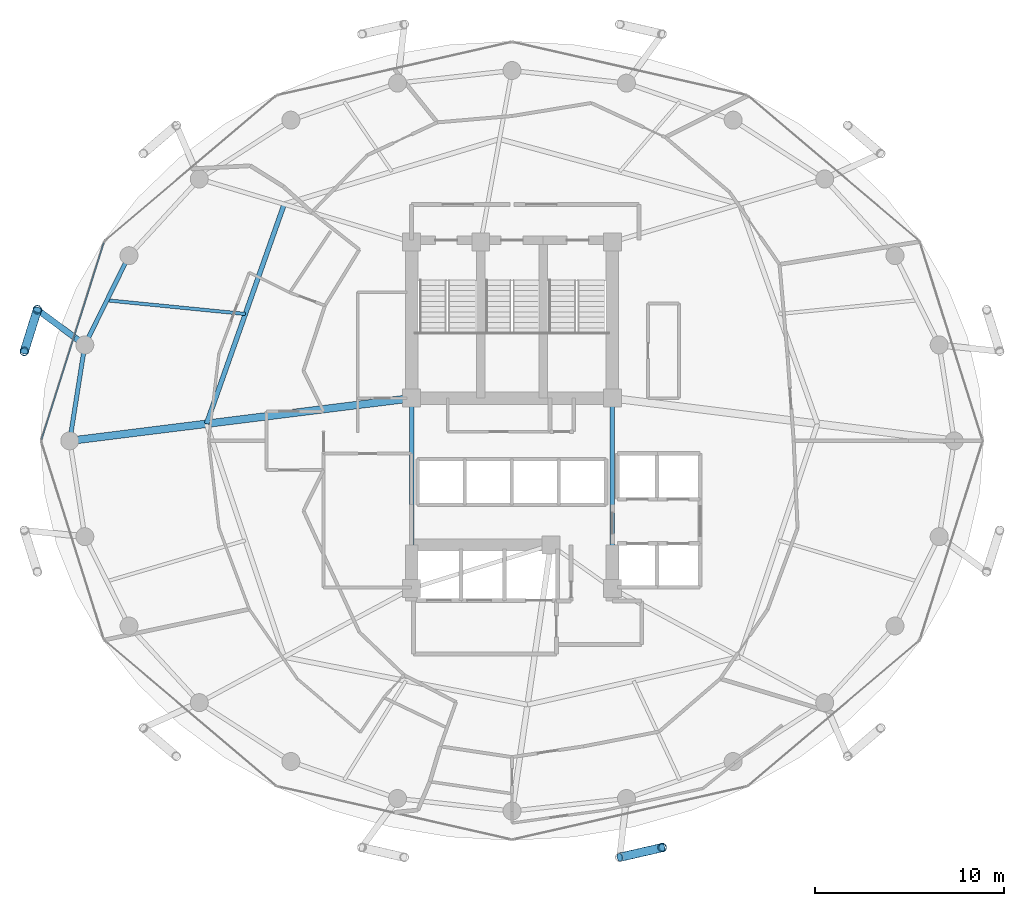
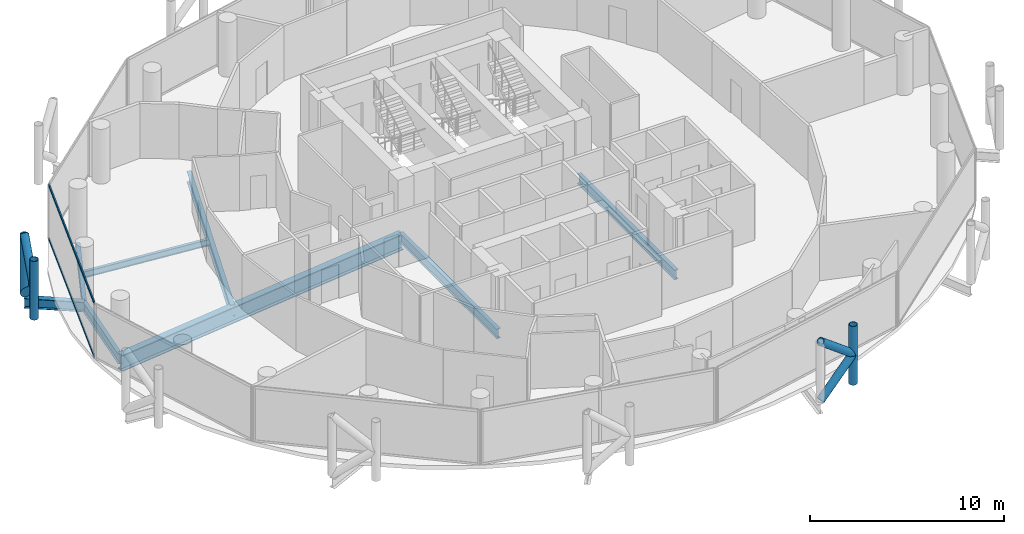
# One storey, part 7 of 26: 9 members, 8 beams, 1 element without a shape of its own.
"""IFC4 building model written with IfcOpenShell, lengths in metres."""

from ifc_helpers import new_model, si_unit, direction, frame, origin, origin_2d, place, context, subcontext, project, spatial, hollow_rectangle, hollow_circle, i_section, extrude, material, layer, layer_set, material_profile, profile_set, type_object, element, aggregate, save


model = new_model("IFC4")

# Units and contexts
model_context = context("Model", 3, precision=1e-05, world=origin(), true_north=direction((0.0, 1.0)))
body_context = subcontext(model_context, "Body", "Model", "MODEL_VIEW")
ifc_project = project(units=[si_unit("LENGTHUNIT", "METRE"), si_unit("AREAUNIT", "SQUARE_METRE"), si_unit("VOLUMEUNIT", "CUBIC_METRE"), si_unit("PLANEANGLEUNIT", "RADIAN"), si_unit("MASSUNIT", "GRAM", prefix="KILO")], contexts=[model_context])

# Site, building, storey
site_placement = place(None, origin())
site = spatial("IfcSite", under=ifc_project, at=site_placement, CompositionType="ELEMENT")
building_placement = place(site_placement, origin())
building = spatial("IfcBuilding", under=site, at=building_placement, Name="Nuhasar Tower", CompositionType="ELEMENT")
storey_placement = place(building_placement, frame((0.0, 0.0, 184.85009765625)))
storey = spatial("IfcBuildingStorey", under=building, at=storey_placement, Name="L45", CompositionType="ELEMENT", Elevation=184.85009765625)

# Beams
ifc_material_1 = material(Name="Steel S355", Category="steel")
ifc_material_profile_1 = material_profile(ifc_material_1, i_section(OverallWidth=0.25390625, OverallDepth=0.68408203125, WebThickness=0.012451171875, FlangeThickness=0.018798828125, at=origin_2d()), Name="W27X94")
ifc_profile_set_1 = profile_set([ifc_material_profile_1], Name="Steel S355")
beam_type_1 = type_object("IfcBeamType", Name="BM-INRING-W27X94", PredefinedType="BEAM", material=ifc_profile_set_1)
beam_1_placement = place(storey_placement, frame((26.972900390625, 39.2939453125, -0.592041015625), z_axis=(-0.333599821096, -0.942714781556, 0.0), x_axis=(0.942714781556, -0.333599821096, 0.0)))
element("IfcBeam", 1, at=beam_1_placement, inside=storey, type_object=beam_type_1, Name="L45 Inner Header Beam 07", PredefinedType="BEAM", context=body_context, shape_type="SweptSolid", body=[
    extrude(i_section(OverallWidth=0.25390625, OverallDepth=0.68408203125, WebThickness=0.012451171875, FlangeThickness=0.018798828125, at=origin_2d()), origin(), (0.0, 0.0, 1.0), 12.298583984375),
])
ifc_material_profile_2 = material_profile(ifc_material_1, i_section(OverallWidth=0.177978515625, OverallDepth=0.406005859375, WebThickness=0.0078125, FlangeThickness=0.0126953125, at=origin_2d()), Name="W16X40")
ifc_profile_set_2 = profile_set([ifc_material_profile_2], Name="Steel S355")
beam_type_2 = type_object("IfcBeamType", Name="BM-JST-W16X40", PredefinedType="JOIST", material=ifc_profile_set_2)
beam_2_placement = place(storey_placement, frame((24.922119140625, 33.4970703125, -0.453125), z_axis=(-0.995171845755, 0.098147834497, 0.0), x_axis=(-0.098147834497, -0.995171845755, 0.0)))
element("IfcBeam", 2, at=beam_2_placement, inside=storey, type_object=beam_type_2, Name="L45 Secondary Floor Joist 07", PredefinedType="JOIST", context=body_context, shape_type="SweptSolid", body=[
    extrude(i_section(OverallWidth=0.177978515625, OverallDepth=0.406005859375, WebThickness=0.0078125, FlangeThickness=0.0126953125, at=origin_2d()), origin(), (0.0, 0.0, 1.0), 7.345458984375),
])
ifc_material_profile_3 = material_profile(ifc_material_1, i_section(OverallWidth=0.22900390625, OverallDepth=0.612060546875, WebThickness=0.011962890625, FlangeThickness=0.01953125, at=origin_2d()), Name="W24X84")
ifc_profile_set_3 = profile_set([ifc_material_profile_3], Name="Steel S355")
beam_type_3 = type_object("IfcBeamType", Name="BM-RAD-W24X84", PredefinedType="BEAM", material=ifc_profile_set_3)
for number, where, z_axis, x_axis, name in (
    (3, (44.300048828125, 19.0, -0.55615234375), (0.0, 1.0, 0.0), (-1.0, 0.0, 0.0), "L45 Core Ring Girder 3"),
    (4, (33.699951171875, 29.050048828125, -0.55615234375), (0.0, -1.0, 0.0), (1.0, 0.0, 0.0), "L45 Core Ring Girder 8"),
):
    element("IfcBeam", number, at=place(storey_placement, frame(where, z_axis=z_axis, x_axis=x_axis)), inside=storey, type_object=beam_type_3, Name=name, PredefinedType="BEAM", context=body_context, shape_type="SweptSolid", body=[
        extrude(i_section(OverallWidth=0.22900390625, OverallDepth=0.612060546875, WebThickness=0.011962890625, FlangeThickness=0.01953125, at=origin_2d()), origin(), (0.0, 0.0, 1.0), 10.050048828125),
    ])
ifc_material_profile_4 = material_profile(ifc_material_1, i_section(OverallWidth=0.22998046875, OverallDepth=0.616943359375, WebThickness=0.01318359375, FlangeThickness=0.022216796875, at=origin_2d()), Name="W24X94")
ifc_profile_set_4 = profile_set([ifc_material_profile_4], Name="Steel S355")
beam_type_4 = type_object("IfcBeamType", Name="BM-RING-W24X94", PredefinedType="SPANDREL", material=ifc_profile_set_4)
beam_3_placement = place(storey_placement, frame((18.778076171875, 36.574951171875, -0.55908203125), z_axis=(-0.443347771709, -0.896349682501, 0.0), x_axis=(0.896349682501, -0.443347771709, 0.0)))
element("IfcBeam", 5, at=beam_3_placement, inside=storey, type_object=beam_type_4, Name="L45 Perimeter Ring Spandrel 11", PredefinedType="SPANDREL", context=body_context, shape_type="SweptSolid", body=[
    extrude(i_section(OverallWidth=0.22998046875, OverallDepth=0.616943359375, WebThickness=0.01318359375, FlangeThickness=0.022216796875, at=origin_2d()), origin(), (0.0, 0.0, 1.0), 5.260009765625),
])
beam_4_placement = place(storey_placement, frame((16.446044921875, 31.860107421875, -0.55908203125), z_axis=(-0.155426543608, -0.987847452566, 0.0), x_axis=(0.987847452566, -0.155426543608, 0.0)))
element("IfcBeam", 6, at=beam_4_placement, inside=storey, type_object=beam_type_4, Name="L45 Perimeter Ring Spandrel 12", PredefinedType="SPANDREL", context=body_context, shape_type="SweptSolid", body=[
    extrude(i_section(OverallWidth=0.22998046875, OverallDepth=0.616943359375, WebThickness=0.01318359375, FlangeThickness=0.022216796875, at=origin_2d()), origin(), (0.0, 0.0, 1.0), 5.122314453125),
])
ifc_material_profile_5 = material_profile(ifc_material_1, i_section(OverallWidth=0.323974609375, OverallDepth=0.611083984375, WebThickness=0.0126953125, FlangeThickness=0.01904296875, at=origin_2d()), Name="W24X104")
ifc_profile_set_5 = profile_set([ifc_material_profile_5], Name="Steel S355")
beam_type_5 = type_object("IfcBeamType", Name="BM-TIE-W24X104", PredefinedType="BEAM", material=ifc_profile_set_5)
beam_5_placement = place(storey_placement, frame((16.446044921875, 31.860107421875, -0.55615234375), z_axis=(-0.802872198291, 0.596151183183, 0.0), x_axis=(-0.596151183183, -0.802872198291, 0.0)))
element("IfcBeam", 7, at=beam_5_placement, inside=storey, type_object=beam_type_5, Name="L45 Exoskeleton Node Tie Beam 06", PredefinedType="BEAM", context=body_context, shape_type="SweptSolid", body=[
    extrude(i_section(OverallWidth=0.323974609375, OverallDepth=0.611083984375, WebThickness=0.0126953125, FlangeThickness=0.01904296875, at=origin_2d()), origin(), (0.0, 0.0, 1.0), 3.121337890625),
])
ifc_material_2 = material(Name="Steel S460", Category="steel")
ifc_material_profile_6 = material_profile(ifc_material_2, i_section(OverallWidth=0.40087890625, OverallDepth=1.010009765625, WebThickness=0.023681640625, FlangeThickness=0.0419921875, at=origin_2d()), Name="W40X297")
ifc_profile_set_6 = profile_set([ifc_material_profile_6], Name="Steel S460")
beam_type_6 = type_object("IfcBeamType", Name="BM-XFER-W40X297", PredefinedType="USERDEFINED", material=ifc_profile_set_6)
beam_6_placement = place(storey_placement, frame((33.699951171875, 29.050048828125, -0.755126953125), z_axis=(-0.992320149485, -0.123696082908, 0.0), x_axis=(0.123696082908, -0.992320149485, 0.0)))
element("IfcBeam", 8, at=beam_6_placement, inside=storey, type_object=beam_type_6, Name="L45 Radial Floor Girder 08", ObjectType="GIRDER", PredefinedType="USERDEFINED", context=body_context, shape_type="SweptSolid", body=[
    extrude(i_section(OverallWidth=0.40087890625, OverallDepth=1.010009765625, WebThickness=0.023681640625, FlangeThickness=0.0419921875, at=origin_2d()), origin(), (0.0, 0.0, 1.0), 18.189697265625),
])

# Curtain wall, members
ifc_material_3 = material(Name="Aluminium 6063-T6", Category="aluminium")
ifc_layer = layer(ifc_material_3, 0.199951171875)
ifc_layer_set = layer_set([ifc_layer], Name="Aluminium 6063-T6")
curtain_wall_type = type_object("IfcCurtainWallType", Name="CW-Z2-HTL", PredefinedType="NOTDEFINED", material=ifc_layer_set)
curtain_wall_placement = place(storey_placement, origin())
curtain_wall = element("IfcCurtainWall", 9, at=curtain_wall_placement, inside=storey, type_object=curtain_wall_type, Name="L45 Unitised Curtain Wall 06", PredefinedType="NOTDEFINED")
ifc_material_profile_7 = material_profile(ifc_material_3, hollow_rectangle(XDim=0.070068359375, YDim=0.159912109375, WallThickness=0.00439453125, at=origin_2d()), Name="CWT-3")
ifc_profile_set_7 = profile_set([ifc_material_profile_7], Name="Aluminium 6063-T6")
member_type_1 = type_object("IfcMemberType", Name="CW-TRN-S3", PredefinedType="USERDEFINED", material=ifc_profile_set_7)
member_1_placement = place(storey_placement, frame((17.449951171875, 37.26318359375, 0.034912109375), z_axis=(-0.301608163352, -0.953431967053, 0.0), x_axis=(0.953431967053, -0.301608163352, 0.0)))
member_1 = element("IfcMember", 10, at=member_1_placement, type_object=member_type_1, Name="CW-Z2 transom 1.1", ObjectType="TRANSOM", PredefinedType="USERDEFINED", context=body_context, shape_type="SweptSolid", body=[
    extrude(hollow_rectangle(XDim=0.070068359375, YDim=0.159912109375, WallThickness=0.00439453125, at=origin_2d()), origin(), (0.0, 0.0, 1.0), 10.904296875),
])
member_2_placement = place(storey_placement, frame((17.449951171875, 37.26318359375, 3.414794921875), z_axis=(-0.301608163352, -0.953431967053, 0.0), x_axis=(0.953431967053, -0.301608163352, 0.0)))
member_2 = element("IfcMember", 11, at=member_2_placement, type_object=member_type_1, Name="CW-Z2 transom 1.2", ObjectType="TRANSOM", PredefinedType="USERDEFINED", context=body_context, shape_type="SweptSolid", body=[
    extrude(hollow_rectangle(XDim=0.070068359375, YDim=0.159912109375, WallThickness=0.00439453125, at=origin_2d()), origin(), (0.0, 0.0, 1.0), 10.904296875),
])
aggregate(curtain_wall, [member_1, member_2])

# Members
ifc_material_profile_8 = material_profile(ifc_material_2, hollow_circle(Radius=0.228515625, WallThickness=0.022216796875, at=origin_2d()), Name="HSS457X22.2")
ifc_profile_set_8 = profile_set([ifc_material_profile_8], Name="Steel S460")
member_type_2 = type_object("IfcMemberType", Name="EXO-BRONZE-457", PredefinedType="BRACE", material=ifc_profile_set_8)
for number, where, z_axis, x_axis, name in (
    (12, (13.93994140625, 33.720947265625, 0.0), (0.0, 0.0, 1.0), (1.0, 0.0, 0.0), "L45 Exoskeleton Chord Column EC-06A"),
    (13, (13.251953125, 31.52587890625, 0.0), (0.0, 0.0, 1.0), (1.0, 0.0, 0.0), "L45 Exoskeleton Chord Column EC-06B"),
    (14, (46.927978515625, 5.323974609375, 0.0), (0.0, 0.0, 1.0), (1.0, 0.0, 0.0), "L45 Exoskeleton Chord Column EC-10B"),
):
    element("IfcMember", number, at=place(storey_placement, frame(where, z_axis=z_axis, x_axis=x_axis)), inside=storey, type_object=member_type_2, Name=name, PredefinedType="BRACE", context=body_context, shape_type="SweptSolid", body=[
        extrude(hollow_circle(Radius=0.228515625, WallThickness=0.022216796875, at=origin_2d()), origin(), (0.0, 0.0, 1.0), 3.699951171875),
    ])
member_3_placement = place(storey_placement, frame((13.93994140625, 33.720947265625, 0.0), z_axis=(-0.233067628236, -0.74361641074, 0.626669062861), x_axis=(0.954228474306, -0.29907861646, 0.0)))
element("IfcMember", 15, at=member_3_placement, inside=storey, type_object=member_type_2, Name="L45 Bronze Diagrid Brace W1-06", PredefinedType="BRACE", context=body_context, shape_type="SweptSolid", body=[
    extrude(hollow_circle(Radius=0.228515625, WallThickness=0.022216796875, at=origin_2d()), origin(), (0.0, 0.0, 1.0), 2.951904296875),
])
member_4_placement = place(storey_placement, frame((13.251953125, 31.52587890625, 1.849853515625), z_axis=(0.233055548538, 0.743577869731, 0.626719285599), x_axis=(-0.954228474306, 0.29907861646, 0.0)))
element("IfcMember", 16, at=member_4_placement, inside=storey, type_object=member_type_2, Name="L45 Bronze Diagrid Brace W2-06", PredefinedType="BRACE", context=body_context, shape_type="SweptSolid", body=[
    extrude(hollow_circle(Radius=0.228515625, WallThickness=0.022216796875, at=origin_2d()), origin(), (0.0, 0.0, 1.0), 2.9521484375),
])
member_5_placement = place(storey_placement, frame((44.68603515625, 4.81005859375, 0.0), z_axis=(0.759549860492, 0.174110035537, 0.626713415327), x_axis=(-0.223432882746, 0.974719316987, 0.0)))
element("IfcMember", 17, at=member_5_placement, inside=storey, type_object=member_type_2, Name="L45 Bronze Diagrid Brace W1-10", PredefinedType="BRACE", context=body_context, shape_type="SweptSolid", body=[
    extrude(hollow_circle(Radius=0.228515625, WallThickness=0.022216796875, at=origin_2d()), origin(), (0.0, 0.0, 1.0), 2.95166015625),
])
member_6_placement = place(storey_placement, frame((46.927978515625, 5.323974609375, 1.849853515625), z_axis=(-0.759510488094, -0.174101010284, 0.626763637022), x_axis=(0.223432882746, -0.974719316987, 0.0)))
element("IfcMember", 18, at=member_6_placement, inside=storey, type_object=member_type_2, Name="L45 Bronze Diagrid Brace W2-10", PredefinedType="BRACE", context=body_context, shape_type="SweptSolid", body=[
    extrude(hollow_circle(Radius=0.228515625, WallThickness=0.022216796875, at=origin_2d()), origin(), (0.0, 0.0, 1.0), 2.951904296875),
])

save(model, "model.ifc")
